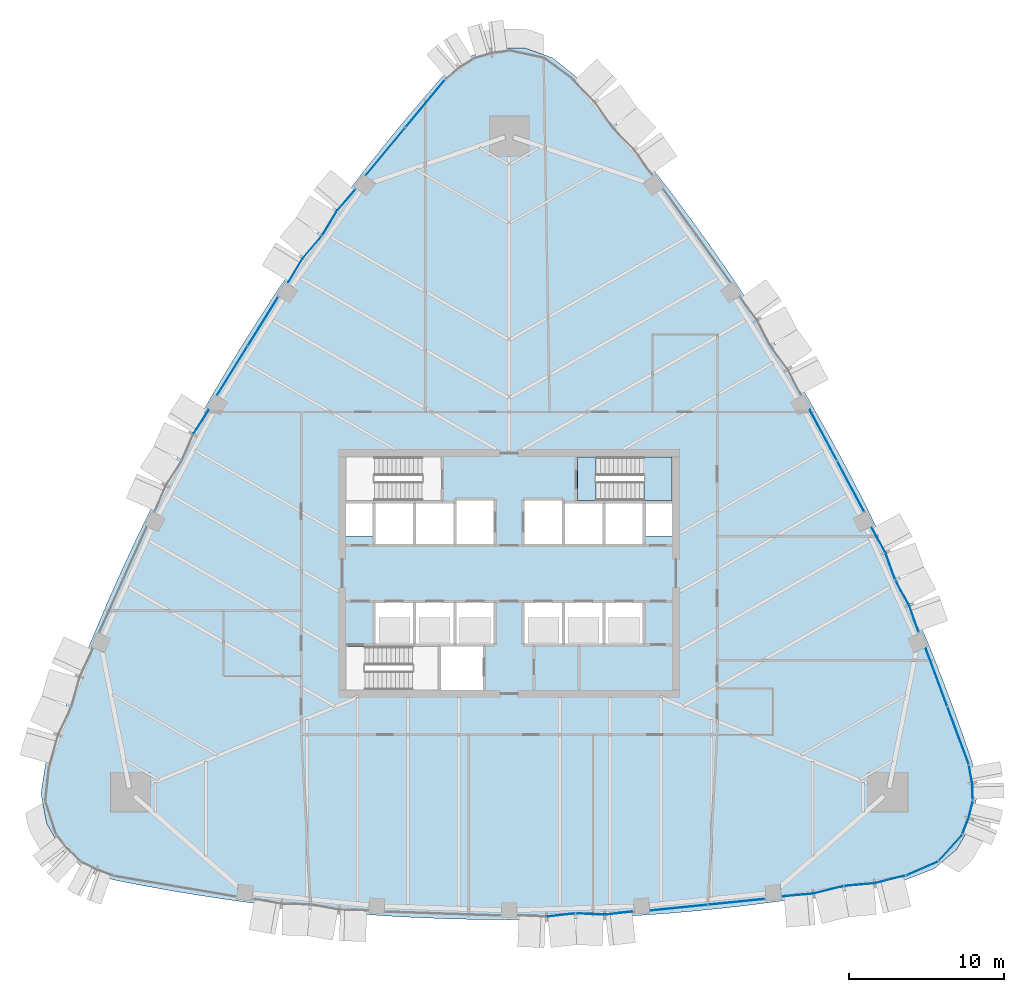
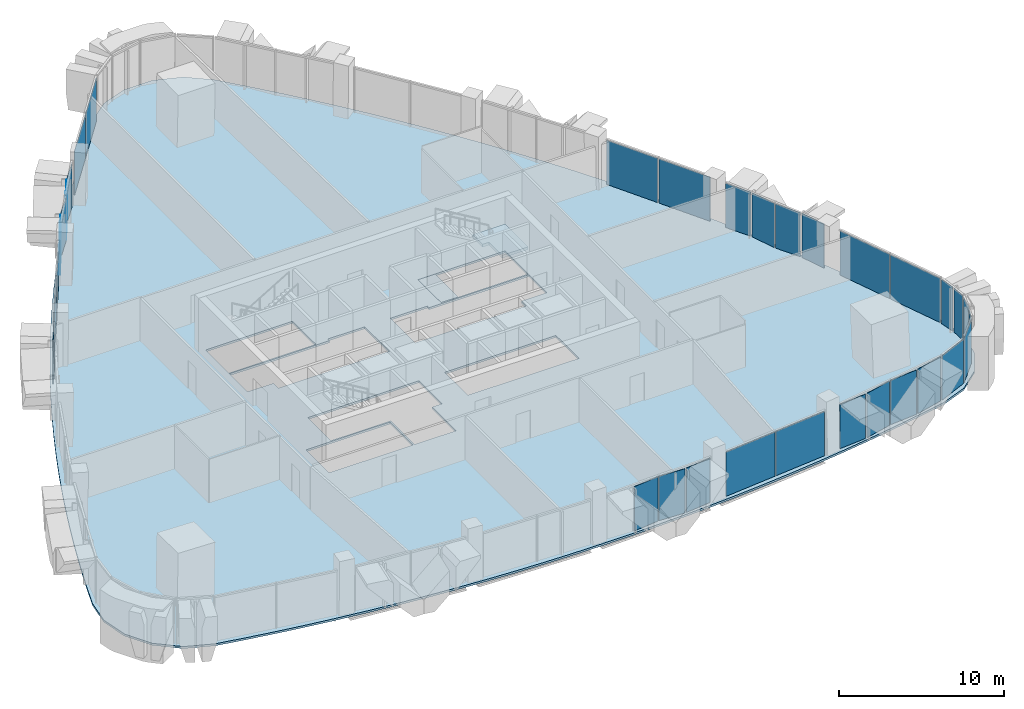
# One storey, part 9 of 17: 32 plates, 3 slabs, 15 elements without a shape of their own.
"""IFC4 building model written with IfcOpenShell, lengths in metres."""

from ifc_helpers import new_model, si_unit, direction, frame, origin, origin_2d, place, context, subcontext, project, spatial, polyline, rectangle, outline, extrude, material, layer, layer_set, type_object, element, aggregate, save


model = new_model("IFC4")

# Units and contexts
model_context = context("Model", 3, precision=1e-05, world=origin(), true_north=direction((0.0, 1.0)))
body_context = subcontext(model_context, "Body", "Model", "MODEL_VIEW")
ifc_project = project(units=[si_unit("LENGTHUNIT", "METRE"), si_unit("AREAUNIT", "SQUARE_METRE"), si_unit("VOLUMEUNIT", "CUBIC_METRE"), si_unit("PLANEANGLEUNIT", "RADIAN"), si_unit("MASSUNIT", "GRAM", prefix="KILO")], contexts=[model_context])

# Site, building, storey
site_placement = place(None, origin())
site = spatial("IfcSite", under=ifc_project, at=site_placement, CompositionType="ELEMENT")
building_placement = place(site_placement, origin())
building = spatial("IfcBuilding", under=site, at=building_placement, Name="Sierra Prisma Convention Tower", CompositionType="ELEMENT")
storey_placement = place(building_placement, frame((0.0, 0.0, 149.800048828125)))
storey = spatial("IfcBuildingStorey", under=building, at=storey_placement, Name="L32", CompositionType="ELEMENT", Elevation=149.800048828125)

# Curtain wall, plates
ifc_material_1 = material(Name="Aluminium and glass curtain wall", Category="aluminium")
ifc_layer_1 = layer(ifc_material_1, 0.179931640625)
ifc_layer_set_1 = layer_set([ifc_layer_1], Name="CW-1 Plain shaft curtain wall")
curtain_wall_type_1 = type_object("IfcCurtainWallType", Name="CW-1 Plain shaft curtain wall", PredefinedType="NOTDEFINED", material=ifc_layer_set_1)
curtain_wall_1_placement = place(storey_placement, origin())
curtain_wall_1 = element("IfcCurtainWall", 1, at=curtain_wall_1_placement, inside=storey, type_object=curtain_wall_type_1, Name="CW-1 S5 L32", PredefinedType="NOTDEFINED")
ifc_material_2 = material(Name="Tinted glass bronze-grey IGU", Category="glass")
ifc_layer_2 = layer(ifc_material_2, 0.028076171875)
ifc_layer_set_2 = layer_set([ifc_layer_2], Name="CW-1 glass panel")
plate_type_1 = type_object("IfcPlateType", Name="CW-1 glass panel", PredefinedType="CURTAIN_PANEL", material=ifc_layer_set_2)
plate_1_placement = place(storey_placement, frame((10.943115234375, -21.53271484375, 0.0), z_axis=(0.0, 0.0, 1.0), x_axis=(0.994927207032, 0.10059747863, 0.0)))
plate_1 = element("IfcPlate", 2, at=plate_1_placement, type_object=plate_type_1, Name="CW-1 panel S5.1", PredefinedType="CURTAIN_PANEL", context=body_context, shape_type="SweptSolid", body=[
    extrude(rectangle(XDim=3.654052734375, YDim=0.028076171875, at=origin_2d()), origin(), (0.0, 0.0, 1.0), 3.280029296875),
])
plate_2_placement = place(storey_placement, frame((14.6484375, -21.157958984375, 0.0), z_axis=(0.0, 0.0, 1.0), x_axis=(0.994927207032, 0.10059747863, 0.0)))
plate_2 = element("IfcPlate", 3, at=plate_2_placement, type_object=plate_type_1, Name="CW-1 panel S5.2", PredefinedType="CURTAIN_PANEL", context=body_context, shape_type="SweptSolid", body=[
    extrude(rectangle(XDim=3.654052734375, YDim=0.028076171875, at=origin_2d()), origin(), (0.0, 0.0, 1.0), 3.280029296875),
])
aggregate(curtain_wall_1, [plate_1, plate_2])

# Curtain wall, plate
curtain_wall_2_placement = place(storey_placement, origin())
curtain_wall_2 = element("IfcCurtainWall", 4, at=curtain_wall_2_placement, inside=storey, type_object=curtain_wall_type_1, Name="CW-1 SE1 L32", PredefinedType="NOTDEFINED")
plate_3_placement = place(storey_placement, frame((26.576171875, -19.0185546875, 0.0), z_axis=(0.0, 0.0, 1.0), x_axis=(0.91594042282, 0.40131426818, 0.0)))
plate_3 = element("IfcPlate", 5, at=plate_3_placement, type_object=plate_type_1, Name="CW-1 panel SE1.1", PredefinedType="CURTAIN_PANEL", context=body_context, shape_type="SweptSolid", body=[
    extrude(rectangle(XDim=2.165283203125, YDim=0.028076171875, at=origin_2d()), origin(), (0.0, 0.0, 1.0), 3.280029296875),
])
aggregate(curtain_wall_2, [plate_3])

curtain_wall_3_placement = place(storey_placement, origin())
curtain_wall_3 = element("IfcCurtainWall", 6, at=curtain_wall_3_placement, inside=storey, type_object=curtain_wall_type_1, Name="CW-1 SE2 L32", PredefinedType="NOTDEFINED")
plate_4_placement = place(storey_placement, frame((28.40478515625, -17.700927734375, 0.0), z_axis=(0.0, 0.0, 1.0), x_axis=(0.670597689137, 0.741821231378, 0.0)))
plate_4 = element("IfcPlate", 7, at=plate_4_placement, type_object=plate_type_1, Name="CW-1 panel SE2.1", PredefinedType="CURTAIN_PANEL", context=body_context, shape_type="SweptSolid", body=[
    extrude(rectangle(XDim=2.165283203125, YDim=0.028076171875, at=origin_2d()), origin(), (0.0, 0.0, 1.0), 3.280029296875),
])
aggregate(curtain_wall_3, [plate_4])

# Curtain wall, plates
curtain_wall_4_placement = place(storey_placement, origin())
curtain_wall_4 = element("IfcCurtainWall", 8, at=curtain_wall_4_placement, inside=storey, type_object=curtain_wall_type_1, Name="CW-1 NE1 L32", PredefinedType="NOTDEFINED")
plate_5_placement = place(storey_placement, frame((28.92333984375, -10.454833984375, 0.0), z_axis=(0.0, 0.0, 1.0), x_axis=(-0.348201851522, 0.937419580869, 0.0)))
plate_5 = element("IfcPlate", 9, at=plate_5_placement, type_object=plate_type_1, Name="CW-1 panel NE1.1", PredefinedType="CURTAIN_PANEL", context=body_context, shape_type="SweptSolid", body=[
    extrude(rectangle(XDim=3.926513671875, YDim=0.028076171875, at=origin_2d()), origin(), (0.0, 0.0, 1.0), 3.280029296875),
])
plate_6_placement = place(storey_placement, frame((27.53173828125, -6.708251953125, 0.0), z_axis=(0.0, 0.0, 1.0), x_axis=(-0.348201851522, 0.937419580869, 0.0)))
plate_6 = element("IfcPlate", 10, at=plate_6_placement, type_object=plate_type_1, Name="CW-1 panel NE1.2", PredefinedType="CURTAIN_PANEL", context=body_context, shape_type="SweptSolid", body=[
    extrude(rectangle(XDim=3.926513671875, YDim=0.028076171875, at=origin_2d()), origin(), (0.0, 0.0, 1.0), 3.280029296875),
])
aggregate(curtain_wall_4, [plate_5, plate_6])

curtain_wall_5_placement = place(storey_placement, origin())
curtain_wall_5 = element("IfcCurtainWall", 11, at=curtain_wall_5_placement, inside=storey, type_object=curtain_wall_type_1, Name="CW-1 NE3 L32", PredefinedType="NOTDEFINED")
plate_7_placement = place(storey_placement, frame((21.998046875, 5.6083984375, 0.0), z_axis=(0.0, 0.0, 1.0), x_axis=(-0.470634240571, 0.882328403488, 0.0)))
plate_7 = element("IfcPlate", 12, at=plate_7_placement, type_object=plate_type_1, Name="CW-1 panel NE3.1", PredefinedType="CURTAIN_PANEL", context=body_context, shape_type="SweptSolid", body=[
    extrude(rectangle(XDim=3.67041015625, YDim=0.028076171875, at=origin_2d()), origin(), (0.0, 0.0, 1.0), 3.280029296875),
])
plate_8_placement = place(storey_placement, frame((20.23779296875, 8.90869140625, 0.0), z_axis=(0.0, 0.0, 1.0), x_axis=(-0.470634240571, 0.882328403488, 0.0)))
plate_8 = element("IfcPlate", 13, at=plate_8_placement, type_object=plate_type_1, Name="CW-1 panel NE3.2", PredefinedType="CURTAIN_PANEL", context=body_context, shape_type="SweptSolid", body=[
    extrude(rectangle(XDim=3.67041015625, YDim=0.028076171875, at=origin_2d()), origin(), (0.0, 0.0, 1.0), 3.280029296875),
])
aggregate(curtain_wall_5, [plate_7, plate_8])

curtain_wall_6_placement = place(storey_placement, origin())
curtain_wall_6 = element("IfcCurtainWall", 14, at=curtain_wall_6_placement, inside=storey, type_object=curtain_wall_type_1, Name="CW-1 NW1 L32", PredefinedType="NOTDEFINED")
plate_9_placement = place(storey_placement, frame((-5.407470703125, 30.275634765625, 0.0), z_axis=(0.0, 0.0, 1.0), x_axis=(-0.637728245277, -0.770261439497, 0.0)))
plate_9 = element("IfcPlate", 15, at=plate_9_placement, type_object=plate_type_1, Name="CW-1 panel NW1.1", PredefinedType="CURTAIN_PANEL", context=body_context, shape_type="SweptSolid", body=[
    extrude(rectangle(XDim=3.926513671875, YDim=0.028076171875, at=origin_2d()), origin(), (0.0, 0.0, 1.0), 3.280029296875),
])
plate_10_placement = place(storey_placement, frame((-7.956298828125, 27.197265625, 0.0), z_axis=(0.0, 0.0, 1.0), x_axis=(-0.637728245277, -0.770261439497, 0.0)))
plate_10 = element("IfcPlate", 16, at=plate_10_placement, type_object=plate_type_1, Name="CW-1 panel NW1.2", PredefinedType="CURTAIN_PANEL", context=body_context, shape_type="SweptSolid", body=[
    extrude(rectangle(XDim=3.926513671875, YDim=0.028076171875, at=origin_2d()), origin(), (0.0, 0.0, 1.0), 3.280029296875),
])
aggregate(curtain_wall_6, [plate_9, plate_10])

curtain_wall_7_placement = place(storey_placement, origin())
curtain_wall_7 = element("IfcCurtainWall", 17, at=curtain_wall_7_placement, inside=storey, type_object=curtain_wall_type_1, Name="CW-1 NW3 L32", PredefinedType="NOTDEFINED")
plate_11_placement = place(storey_placement, frame((-15.856201171875, 16.24658203125, 0.0), z_axis=(0.0, 0.0, 1.0), x_axis=(-0.528801691616, -0.848745409969, 0.0)))
plate_11 = element("IfcPlate", 18, at=plate_11_placement, type_object=plate_type_1, Name="CW-1 panel NW3.1", PredefinedType="CURTAIN_PANEL", context=body_context, shape_type="SweptSolid", body=[
    extrude(rectangle(XDim=3.670166015625, YDim=0.028076171875, at=origin_2d()), origin(), (0.0, 0.0, 1.0), 3.280029296875),
])
plate_12_placement = place(storey_placement, frame((-17.833984375, 13.072021484375, 0.0), z_axis=(0.0, 0.0, 1.0), x_axis=(-0.528801691616, -0.848745409969, 0.0)))
plate_12 = element("IfcPlate", 19, at=plate_12_placement, type_object=plate_type_1, Name="CW-1 panel NW3.2", PredefinedType="CURTAIN_PANEL", context=body_context, shape_type="SweptSolid", body=[
    extrude(rectangle(XDim=3.670166015625, YDim=0.028076171875, at=origin_2d()), origin(), (0.0, 0.0, 1.0), 3.280029296875),
])
aggregate(curtain_wall_7, [plate_11, plate_12])

ifc_material_3 = material(Name="Aluminium and glass curtain wall", Category="aluminium")
ifc_layer_3 = layer(ifc_material_3, 0.179931640625)
ifc_layer_set_3 = layer_set([ifc_layer_3], Name="CW-2 Faceted crystal curtain wall")
curtain_wall_type_2 = type_object("IfcCurtainWallType", Name="CW-2 Faceted crystal curtain wall", PredefinedType="NOTDEFINED", material=ifc_layer_set_3)
curtain_wall_8_placement = place(storey_placement, origin())
curtain_wall_8 = element("IfcCurtainWall", 20, at=curtain_wall_8_placement, inside=storey, type_object=curtain_wall_type_2, Name="CW-2 S4 L32", PredefinedType="NOTDEFINED")
ifc_material_4 = material(Name="Tinted glass bronze-grey IGU", Category="glass")
ifc_layer_4 = layer(ifc_material_4, 0.028076171875)
ifc_layer_set_4 = layer_set([ifc_layer_4], Name="CW-2 crystal pane")
plate_type_2 = type_object("IfcPlateType", Name="CW-2 crystal pane", PredefinedType="CURTAIN_PANEL", material=ifc_layer_set_4)
plate_13_placement = place(storey_placement, frame((4.23779296875, -21.9189453125, 0.0), z_axis=(0.111910171311, -0.993718327071, 0.0), x_axis=(-0.993718327071, -0.111910171311, 0.0)))
plate_13 = element("IfcPlate", 21, at=plate_13_placement, type_object=plate_type_2, Name="CW-2 pane S4.1.2", PredefinedType="CURTAIN_PANEL", context=body_context, shape_type="SweptSolid", body=[
    extrude(outline(polyline([(0.0, 0.0), (1.775803453983798, 0.0), (1.775803453983798, -3.280029296875001), (0.0, -3.280029296875001), (0.0, 0.0)])), origin(), (0.0, 0.0, -1.0), 0.028076171875),
])
plate_14_placement = place(storey_placement, frame((4.307861328125, -21.916748046875, 0.0), z_axis=(-0.04495862289, -0.998988849902, 0.0), x_axis=(0.998988849902, -0.04495862289, 0.0)))
plate_14 = element("IfcPlate", 22, at=plate_14_placement, type_object=plate_type_2, Name="CW-2 pane S4.2.1", PredefinedType="CURTAIN_PANEL", context=body_context, shape_type="SweptSolid", body=[
    extrude(outline(polyline([(0.0, 0.0), (1.7757213020191571, 0.0), (1.7757213020191571, 3.280029296875001), (0.0, 3.280029296875001), (0.0, 0.0)])), origin(), (0.0, 0.0, -1.0), 0.028076171875),
])
plate_15_placement = place(storey_placement, frame((7.975830078125, -21.79345703125, 0.0), z_axis=(0.111910171311, -0.993718327071, 0.0), x_axis=(-0.993718327071, -0.111910171311, 0.0)))
plate_15 = element("IfcPlate", 23, at=plate_15_placement, type_object=plate_type_2, Name="CW-2 pane S4.2.2", PredefinedType="CURTAIN_PANEL", context=body_context, shape_type="SweptSolid", body=[
    extrude(outline(polyline([(0.0, 0.0), (1.775803453983798, 0.0), (1.775803453983798, -3.280029296875001), (0.0, -3.280029296875001), (0.0, 0.0)])), origin(), (0.0, 0.0, -1.0), 0.028076171875),
])
aggregate(curtain_wall_8, [plate_13, plate_14, plate_15])

curtain_wall_9_placement = place(storey_placement, origin())
curtain_wall_9 = element("IfcCurtainWall", 24, at=curtain_wall_9_placement, inside=storey, type_object=curtain_wall_type_2, Name="CW-2 S6 L32", PredefinedType="NOTDEFINED")
plate_16_placement = place(storey_placement, frame((17.639892578125, -20.817138671875, 0.0), z_axis=(0.089229466144, -0.996011095506, 0.0), x_axis=(0.996011095506, 0.089229466144, 0.0)))
plate_16 = element("IfcPlate", 25, at=plate_16_placement, type_object=plate_type_2, Name="CW-2 pane S6.1.1", PredefinedType="CURTAIN_PANEL", context=body_context, shape_type="SweptSolid", body=[
    extrude(outline(polyline([(0.0, 0.0), (1.904324684918129, 0.0), (1.904324684918129, 3.280029296875), (0.0, 3.280029296875), (0.0, 0.0)])), origin(), (0.0, 0.0, -1.0), 0.028076171875),
])
plate_17_placement = place(storey_placement, frame((21.510986328125, -20.160888671875, 0.0), z_axis=(0.243983372169, -0.969779415179, 0.0), x_axis=(-0.969779415179, -0.243983372169, 0.0)))
plate_17 = element("IfcPlate", 26, at=plate_17_placement, type_object=plate_type_2, Name="CW-2 pane S6.1.2", PredefinedType="CURTAIN_PANEL", context=body_context, shape_type="SweptSolid", body=[
    extrude(outline(polyline([(0.0, 0.0), (1.9042265267705154, 0.0), (1.9042265267705154, -3.280029296875), (0.0, -3.280029296875), (0.0, 0.0)])), origin(), (0.0, 0.0, -1.0), 0.028076171875),
])
plate_18_placement = place(storey_placement, frame((21.580078125, -20.149169921875, 0.0), z_axis=(0.089356646475, -0.99599969364, 0.0), x_axis=(0.99599969364, 0.089356646475, 0.0)))
plate_18 = element("IfcPlate", 27, at=plate_18_placement, type_object=plate_type_2, Name="CW-2 pane S6.2.1", PredefinedType="CURTAIN_PANEL", context=body_context, shape_type="SweptSolid", body=[
    extrude(outline(polyline([(0.0, 0.0), (1.9043464849807936, 0.0), (1.9043464849807936, 3.280029296875), (0.0, 3.280029296875), (0.0, 0.0)])), origin(), (0.0, 0.0, -1.0), 0.028076171875),
])
plate_19_placement = place(storey_placement, frame((25.451416015625, -19.49267578125, 0.0), z_axis=(0.244073599131, -0.969756710834, 0.0), x_axis=(-0.969756710834, -0.244073599131, 0.0)))
plate_19 = element("IfcPlate", 28, at=plate_19_placement, type_object=plate_type_2, Name="CW-2 pane S6.2.2", PredefinedType="CURTAIN_PANEL", context=body_context, shape_type="SweptSolid", body=[
    extrude(outline(polyline([(0.0, 0.0), (1.9045228638191685, 0.0), (1.9045228638191685, -3.280029296875), (0.0, -3.280029296875), (0.0, 0.0)])), origin(), (0.0, 0.0, -1.0), 0.028076171875),
])
aggregate(curtain_wall_9, [plate_16, plate_17, plate_18, plate_19])

curtain_wall_10_placement = place(storey_placement, origin())
curtain_wall_10 = element("IfcCurtainWall", 29, at=curtain_wall_10_placement, inside=storey, type_object=curtain_wall_type_2, Name="CW-2 SE3 L32", PredefinedType="NOTDEFINED")
plate_20_placement = place(storey_placement, frame((29.19921875, -16.779296875, 0.0), z_axis=(0.924618664693, -0.380894112453, 0.0), x_axis=(0.380894112453, 0.924618664693, 0.0)))
plate_20 = element("IfcPlate", 30, at=plate_20_placement, type_object=plate_type_2, Name="CW-2 pane SE3.1.1", PredefinedType="CURTAIN_PANEL", context=body_context, shape_type="SweptSolid", body=[
    extrude(outline(polyline([(0.0, 0.0), (1.0210607171644064, 0.0), (1.0210607171644064, 3.280029296875), (0.0, 3.280029296875), (0.0, 0.0)])), origin(), (0.0, 0.0, -1.0), 0.028076171875),
])
plate_21_placement = place(storey_placement, frame((29.8642578125, -14.718505859375, 0.0), z_axis=(0.972849807947, -0.231437359079, 0.0), x_axis=(-0.231437359079, -0.972849807947, 0.0)))
plate_21 = element("IfcPlate", 31, at=plate_21_placement, type_object=plate_type_2, Name="CW-2 pane SE3.1.2", PredefinedType="CURTAIN_PANEL", context=body_context, shape_type="SweptSolid", body=[
    extrude(outline(polyline([(0.0, 0.0), (1.0211321367492343, 0.0), (1.0211321367492343, -3.280029296875), (0.0, -3.280029296875), (0.0, 0.0)])), origin(), (0.0, 0.0, -1.0), 0.028076171875),
])
aggregate(curtain_wall_10, [plate_20, plate_21])

curtain_wall_11_placement = place(storey_placement, origin())
curtain_wall_11 = element("IfcCurtainWall", 32, at=curtain_wall_11_placement, inside=storey, type_object=curtain_wall_type_2, Name="CW-2 SE4 L32", PredefinedType="NOTDEFINED")
plate_22_placement = place(storey_placement, frame((29.878173828125, -14.582275390625, 0.0), z_axis=(0.999478621584, 0.032287536232, 0.0), x_axis=(-0.032287536232, 0.999478621584, 0.0)))
plate_22 = element("IfcPlate", 33, at=plate_22_placement, type_object=plate_type_2, Name="CW-2 pane SE4.1.1", PredefinedType="CURTAIN_PANEL", context=body_context, shape_type="SweptSolid", body=[
    extrude(outline(polyline([(0.0, 0.0), (1.0207958928203469, 0.0), (1.0207958928203469, 3.280029296875), (0.0, 3.280029296875), (0.0, 0.0)])), origin(), (0.0, 0.0, -1.0), 0.028076171875),
])
plate_23_placement = place(storey_placement, frame((29.638916015625, -12.430419921875, 0.0), z_axis=(0.982130747891, 0.188199877913, 0.0), x_axis=(0.188199877913, -0.982130747891, 0.0)))
plate_23 = element("IfcPlate", 34, at=plate_23_placement, type_object=plate_type_2, Name="CW-2 pane SE4.1.2", PredefinedType="CURTAIN_PANEL", context=body_context, shape_type="SweptSolid", body=[
    extrude(outline(polyline([(0.0, 0.0), (1.0209287806413858, 0.0), (1.0209287806413858, -3.280029296875), (0.0, -3.280029296875), (0.0, 0.0)])), origin(), (0.0, 0.0, -1.0), 0.028076171875),
])
aggregate(curtain_wall_11, [plate_22, plate_23])

curtain_wall_12_placement = place(storey_placement, origin())
curtain_wall_12 = element("IfcCurtainWall", 35, at=curtain_wall_12_placement, inside=storey, type_object=curtain_wall_type_2, Name="CW-2 NE2 L32", PredefinedType="NOTDEFINED")
plate_24_placement = place(storey_placement, frame((26.3974609375, -3.773193359375, 0.0), z_axis=(0.941316224877, 0.337525946831, 0.0), x_axis=(-0.337525946831, 0.941316224877, 0.0)))
plate_24 = element("IfcPlate", 36, at=plate_24_placement, type_object=plate_type_2, Name="CW-2 pane NE2.1.1", PredefinedType="CURTAIN_PANEL", context=body_context, shape_type="SweptSolid", body=[
    extrude(outline(polyline([(0.0, 0.0), (1.7678039069368943, 0.0), (1.7678039069368943, 3.280029296875), (0.0, 3.280029296875), (0.0, 0.0)])), origin(), (0.0, 0.0, -1.0), 0.028076171875),
])
plate_25_placement = place(storey_placement, frame((24.89794921875, -0.440673828125, 0.0), z_axis=(0.876943848422, 0.480592849214, 0.0), x_axis=(0.480592849214, -0.876943848422, 0.0)))
plate_25 = element("IfcPlate", 37, at=plate_25_placement, type_object=plate_type_2, Name="CW-2 pane NE2.1.2", PredefinedType="CURTAIN_PANEL", context=body_context, shape_type="SweptSolid", body=[
    extrude(outline(polyline([(0.0, 0.0), (1.767836072446645, 0.0), (1.767836072446645, -3.280029296875001), (0.0, -3.280029296875001), (0.0, 0.0)])), origin(), (0.0, 0.0, -1.0), 0.028076171875),
])
plate_26_placement = place(storey_placement, frame((24.869140625, -0.376953125, 0.0), z_axis=(0.941316224877, 0.337525946831, 0.0), x_axis=(-0.337525946831, 0.941316224877, 0.0)))
plate_26 = element("IfcPlate", 38, at=plate_26_placement, type_object=plate_type_2, Name="CW-2 pane NE2.2.1", PredefinedType="CURTAIN_PANEL", context=body_context, shape_type="SweptSolid", body=[
    extrude(outline(polyline([(0.0, 0.0), (1.7678039069368943, 0.0), (1.7678039069368943, 3.280029296875), (0.0, 3.280029296875), (0.0, 0.0)])), origin(), (0.0, 0.0, -1.0), 0.028076171875),
])
plate_27_placement = place(storey_placement, frame((23.36962890625, 2.95556640625, 0.0), z_axis=(0.876943848422, 0.480592849214, 0.0), x_axis=(0.480592849214, -0.876943848422, 0.0)))
plate_27 = element("IfcPlate", 39, at=plate_27_placement, type_object=plate_type_2, Name="CW-2 pane NE2.2.2", PredefinedType="CURTAIN_PANEL", context=body_context, shape_type="SweptSolid", body=[
    extrude(outline(polyline([(0.0, 0.0), (1.767836072446645, 0.0), (1.767836072446645, -3.280029296875001), (0.0, -3.280029296875001), (0.0, 0.0)])), origin(), (0.0, 0.0, -1.0), 0.028076171875),
])
aggregate(curtain_wall_12, [plate_24, plate_25, plate_26, plate_27])

curtain_wall_13_placement = place(storey_placement, origin())
curtain_wall_13 = element("IfcCurtainWall", 40, at=curtain_wall_13_placement, inside=storey, type_object=curtain_wall_type_2, Name="CW-2 NW2 L32", PredefinedType="NOTDEFINED")
plate_28_placement = place(storey_placement, frame((-9.93115234375, 24.747314453125, 0.0), z_axis=(-0.762977560498, 0.646424970261, 0.0), x_axis=(-0.646424970261, -0.762977560498, 0.0)))
plate_28 = element("IfcPlate", 41, at=plate_28_placement, type_object=plate_type_2, Name="CW-2 pane NW2.1.1", PredefinedType="CURTAIN_PANEL", context=body_context, shape_type="SweptSolid", body=[
    extrude(outline(polyline([(0.0, 0.0), (1.7679116961771708, 0.0), (1.7679116961771708, 3.280029296875), (0.0, 3.280029296875), (0.0, 0.0)])), origin(), (0.0, 0.0, -1.0), 0.028076171875),
])
plate_29_placement = place(storey_placement, frame((-12.0673828125, 21.782470703125, 0.0), z_axis=(-0.854702172413, 0.519118672823, 0.0), x_axis=(0.519118672823, 0.854702172413, 0.0)))
plate_29 = element("IfcPlate", 42, at=plate_29_placement, type_object=plate_type_2, Name="CW-2 pane NW2.1.2", PredefinedType="CURTAIN_PANEL", context=body_context, shape_type="SweptSolid", body=[
    extrude(outline(polyline([(0.0, 0.0), (1.7678512783696387, 0.0), (1.7678512783696387, -3.280029296875), (0.0, -3.280029296875), (0.0, 0.0)])), origin(), (0.0, 0.0, -1.0), 0.028076171875),
])
plate_30_placement = place(storey_placement, frame((-12.108154296875, 21.725830078125, 0.0), z_axis=(-0.762977560498, 0.646424970261, 0.0), x_axis=(-0.646424970261, -0.762977560498, 0.0)))
plate_30 = element("IfcPlate", 43, at=plate_30_placement, type_object=plate_type_2, Name="CW-2 pane NW2.2.1", PredefinedType="CURTAIN_PANEL", context=body_context, shape_type="SweptSolid", body=[
    extrude(outline(polyline([(0.0, 0.0), (1.7679116961771708, 0.0), (1.7679116961771708, 3.280029296875), (0.0, 3.280029296875), (0.0, 0.0)])), origin(), (0.0, 0.0, -1.0), 0.028076171875),
])
plate_31_placement = place(storey_placement, frame((-14.244384765625, 18.760986328125, 0.0), z_axis=(-0.854702172413, 0.519118672823, 0.0), x_axis=(0.519118672823, 0.854702172413, 0.0)))
plate_31 = element("IfcPlate", 44, at=plate_31_placement, type_object=plate_type_2, Name="CW-2 pane NW2.2.2", PredefinedType="CURTAIN_PANEL", context=body_context, shape_type="SweptSolid", body=[
    extrude(outline(polyline([(0.0, 0.0), (1.7678512783696387, 0.0), (1.7678512783696387, -3.280029296875), (0.0, -3.280029296875), (0.0, 0.0)])), origin(), (0.0, 0.0, -1.0), 0.028076171875),
])
aggregate(curtain_wall_13, [plate_28, plate_29, plate_30, plate_31])

# Curtain wall, plate
curtain_wall_14_placement = place(storey_placement, origin())
curtain_wall_14 = element("IfcCurtainWall", 45, at=curtain_wall_14_placement, inside=storey, type_object=curtain_wall_type_2, Name="CW-2 NW4 L32", PredefinedType="NOTDEFINED")
plate_32_placement = place(storey_placement, frame((-19.3740234375, 10.52783203125, 0.0), z_axis=(-0.842720514784, 0.538351310913, 0.0), x_axis=(-0.538351310913, -0.842720514784, 0.0)))
plate_32 = element("IfcPlate", 46, at=plate_32_placement, type_object=plate_type_2, Name="CW-2 pane NW4.1.1", PredefinedType="CURTAIN_PANEL", context=body_context, shape_type="SweptSolid", body=[
    extrude(outline(polyline([(0.0, 0.0), (1.7758936741120226, 0.0), (1.7758936741120226, 3.280029296875), (0.0, 3.280029296875), (0.0, 0.0)])), origin(), (0.0, 0.0, -1.0), 0.028076171875),
])
aggregate(curtain_wall_14, [plate_32])

# Slab
ifc_material_5 = material(Name="Concrete C35/45", Category="concrete")
ifc_layer_5 = layer(ifc_material_5, 0.14990234375)
ifc_layer_set_5 = layer_set([ifc_layer_5], Name="Composite floor slab 150")
slab_type_1 = type_object("IfcSlabType", Name="Composite floor slab 150", PredefinedType="FLOOR", material=ifc_layer_set_5)
slab_1_placement = place(storey_placement, frame((0.0, 0.0, -0.150146484375)))
element("IfcSlab", 47, at=slab_1_placement, inside=storey, type_object=slab_type_1, Name="Floor slab L32 floor", PredefinedType="FLOOR", context=body_context, shape_type="SweptSolid", body=[
    extrude(outline(polyline([(-25.5703125, -19.72607421875), (-23.627197265625, -20.107421875), (-21.67822265625, -20.45849609375), (-19.72412109375, -20.779541015625), (-17.76513671875, -21.070068359375), (-15.802001953125, -21.330322265625), (-13.835205078125, -21.56005859375), (-11.864990234375, -21.75927734375), (-9.891845703125, -21.927978515625), (-7.916259765625, -22.06591796875), (-5.93896484375, -22.17333984375), (-3.9599609375, -22.25), (-1.980224609375, -22.296142578125), (0.0, -22.3115234375), (1.980224609375, -22.296142578125), (3.9599609375, -22.25), (5.93896484375, -22.17333984375), (7.916259765625, -22.06591796875), (9.891845703125, -21.927978515625), (11.864990234375, -21.75927734375), (13.835205078125, -21.56005859375), (15.802001953125, -21.330322265625), (17.76513671875, -21.070068359375), (19.72412109375, -20.779541015625), (21.67822265625, -20.45849609375), (23.627197265625, -20.107421875), (25.5703125, -19.72607421875), (27.37255859375, -19.025634765625), (28.840087890625, -17.76708984375), (29.806640625, -16.0927734375), (30.162841796875, -14.1923828125), (29.868408203125, -12.28173828125), (29.22705078125, -10.407958984375), (28.556640625, -8.544677734375), (27.857666015625, -6.69189453125), (27.1298828125, -4.85009765625), (26.37353515625, -3.019775390625), (25.589111328125, -1.20166015625), (24.7763671875, 0.604248046875), (23.93603515625, 2.3974609375), (23.06787109375, 4.17724609375), (22.172119140625, 5.943359375), (21.2490234375, 7.695556640625), (20.299072265625, 9.43310546875), (19.322265625, 11.15576171875), (18.31884765625, 12.863037109375), (17.2890625, 14.554443359375), (16.233154296875, 16.229736328125), (15.151611328125, 17.888671875), (14.044189453125, 19.530517578125), (12.91162109375, 21.15478515625), (11.75390625, 22.761474609375), (10.571533203125, 24.35009765625), (9.364501953125, 25.920166015625), (8.133544921875, 27.47119140625), (6.87841796875, 29.003173828125), (5.599853515625, 30.515380859375), (4.298095703125, 32.007568359375), (2.79052734375, 33.218017578125), (0.966796875, 33.859619140625), (-0.966796875, 33.859619140625), (-2.79052734375, 33.218017578125), (-4.298095703125, 32.007568359375), (-5.599853515625, 30.515380859375), (-6.87841796875, 29.003173828125), (-8.133544921875, 27.47119140625), (-9.364501953125, 25.920166015625), (-10.571533203125, 24.35009765625), (-11.75390625, 22.761474609375), (-12.91162109375, 21.15478515625), (-14.044189453125, 19.530517578125), (-15.151611328125, 17.888671875), (-16.233154296875, 16.229736328125), (-17.2890625, 14.554443359375), (-18.31884765625, 12.863037109375), (-19.322265625, 11.15576171875), (-20.299072265625, 9.43310546875), (-21.2490234375, 7.695556640625), (-22.172119140625, 5.943359375), (-23.06787109375, 4.17724609375), (-23.93603515625, 2.3974609375), (-24.7763671875, 0.604248046875), (-25.589111328125, -1.20166015625), (-26.37353515625, -3.019775390625), (-27.1298828125, -4.85009765625), (-27.857666015625, -6.69189453125), (-28.556640625, -8.544677734375), (-29.22705078125, -10.407958984375), (-29.868408203125, -12.28173828125), (-30.162841796875, -14.1923828125), (-29.806640625, -16.0927734375), (-28.840087890625, -17.76708984375), (-27.37255859375, -19.025634765625), (-25.5703125, -19.72607421875)]), holes=[polyline([(-4.60009765625, -7.5), (-10.5, -7.5), (-10.5, -4.699951171875), (-4.60009765625, -4.699951171875), (-4.60009765625, -7.5)]), polyline([(-8.699951171875, -4.60009765625), (-8.699951171875, -1.800048828125), (-6.10009765625, -1.800048828125), (-3.5, -1.800048828125), (-0.89990234375, -1.800048828125), (-0.89990234375, -4.60009765625), (-1.60009765625, -4.60009765625), (-1.60009765625, -7.5), (-4.5, -7.5), (-4.5, -4.60009765625), (-6.10009765625, -4.60009765625), (-8.699951171875, -4.60009765625)]), polyline([(-10.5, 4.60009765625), (-8.699951171875, 4.60009765625), (-6.10009765625, 4.60009765625), (-3.5, 4.60009765625), (-3.5, 4.800048828125), (-0.89990234375, 4.800048828125), (-0.89990234375, 1.800048828125), (-3.5, 1.800048828125), (-6.10009765625, 1.800048828125), (-8.699951171875, 1.800048828125), (-8.699951171875, 2.39990234375), (-10.5, 2.39990234375), (-10.5, 4.60009765625)]), polyline([(-10.5, 4.699951171875), (-10.5, 7.5), (-4.39990234375, 7.5), (-4.39990234375, 4.699951171875), (-10.5, 4.699951171875)]), polyline([(6.10009765625, -1.800048828125), (8.699951171875, -1.800048828125), (8.699951171875, -4.60009765625), (6.10009765625, -4.60009765625), (3.5, -4.60009765625), (0.89990234375, -4.60009765625), (0.89990234375, -1.800048828125), (3.5, -1.800048828125), (6.10009765625, -1.800048828125)]), polyline([(8.699951171875, 4.60009765625), (10.5, 4.60009765625), (10.5, 2.39990234375), (8.699951171875, 2.39990234375), (8.699951171875, 1.800048828125), (6.10009765625, 1.800048828125), (3.5, 1.800048828125), (0.89990234375, 1.800048828125), (0.89990234375, 4.800048828125), (3.5, 4.800048828125), (3.5, 4.60009765625), (6.10009765625, 4.60009765625), (8.699951171875, 4.60009765625)]), polyline([(4.39990234375, 4.699951171875), (4.39990234375, 7.5), (10.5, 7.5), (10.5, 4.699951171875), (4.39990234375, 4.699951171875)])]), origin(), (0.0, 0.0, 1.0), 0.150146484375),
])

# Stair, slab
ifc_material_6 = material(Name="Concrete C30/37", Category="concrete")
stair_type = type_object("IfcStairType", Name="Stair dog-leg 1200 RC", PredefinedType="HALF_TURN_STAIR", material=ifc_material_6)
stair_placement = place(storey_placement, origin())
stair = element("IfcStair", 48, at=stair_placement, inside=storey, type_object=stair_type, Name="L32 S4", PredefinedType="HALF_TURN_STAIR")
ifc_material_7 = material(Name="Concrete C35/45", Category="concrete")
ifc_layer_6 = layer(ifc_material_7, 0.199951171875)
ifc_layer_set_6 = layer_set([ifc_layer_6], Name="Stair landing slab")
slab_type_2 = type_object("IfcSlabType", Name="Stair landing slab", PredefinedType="LANDING", material=ifc_layer_set_6)
slab_2_placement = place(storey_placement, frame((0.0, 0.0, 1.800048828125)))
slab_2 = element("IfcSlab", 49, at=slab_2_placement, type_object=slab_type_2, Name="S4 landing 1", PredefinedType="LANDING", context=body_context, shape_type="SweptSolid", body=[
    extrude(outline(polyline([(10.5, 7.5), (10.5, 4.699951171875), (8.677978515625, 4.699951171875), (8.677978515625, 6.300048828125), (8.22998046875, 6.300048828125), (8.22998046875, 7.5), (10.5, 7.5)])), origin(), (0.0, 0.0, 1.0), 0.199951171875),
])
aggregate(stair, [slab_2])

# Slab
slab_3_placement = place(storey_placement, frame((0.0, 0.0, -0.199951171875)))
element("IfcSlab", 50, at=slab_3_placement, inside=storey, type_object=slab_type_2, Name="S4 floor landing L32", PredefinedType="LANDING", context=body_context, shape_type="SweptSolid", body=[
    extrude(outline(polyline([(4.39990234375, 4.699951171875), (5.60205078125, 4.699951171875), (5.60205078125, 7.5), (4.39990234375, 7.5), (4.39990234375, 4.699951171875)])), origin(), (0.0, 0.0, 1.0), 0.199951171875),
])

save(model, "model.ifc")
